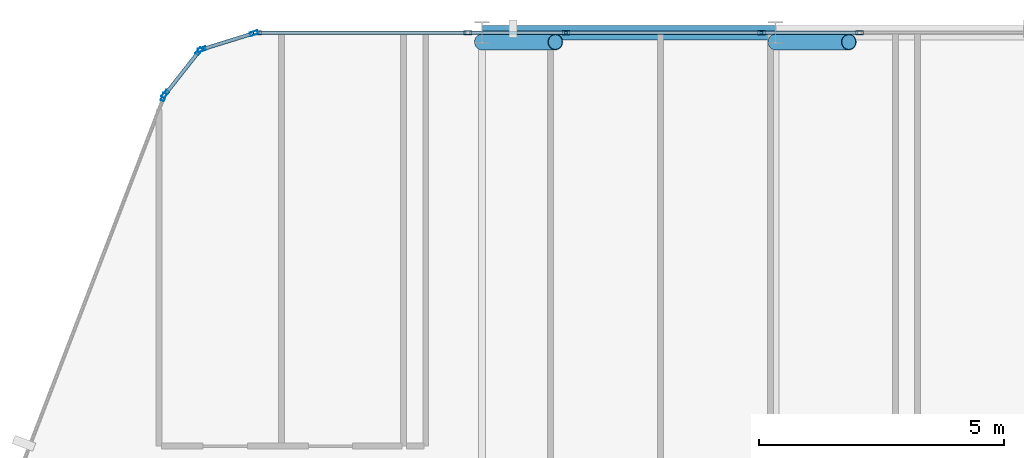
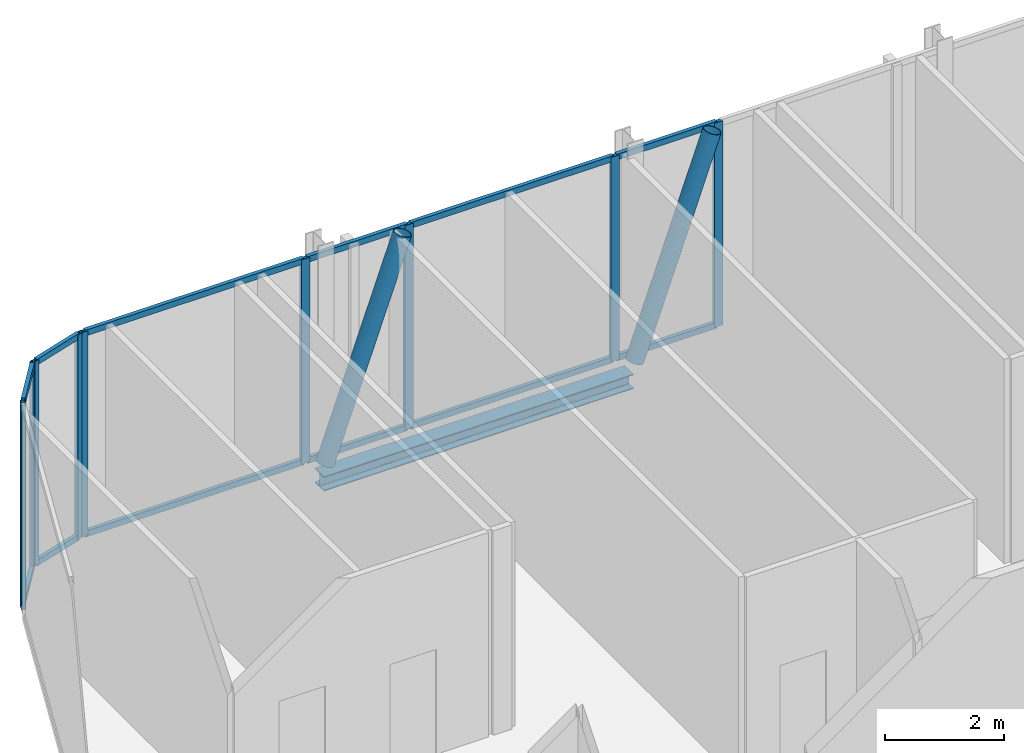
# One storey, part 17 of 28: 24 members, 1 beam, 7 elements without a shape of their own.
"""IFC4 building model written with IfcOpenShell, lengths in metres."""

from ifc_helpers import new_model, si_unit, direction, frame, origin, origin_2d, place, context, subcontext, project, spatial, hollow_rectangle, hollow_circle, i_section, extrude, material, layer, layer_set, material_profile, profile_set, type_object, element, aggregate, save


model = new_model("IFC4")

# Units and contexts
model_context = context("Model", 3, precision=1e-05, world=origin(), true_north=direction((0.0, 1.0)))
body_context = subcontext(model_context, "Body", "Model", "MODEL_VIEW")
ifc_project = project(units=[si_unit("LENGTHUNIT", "METRE"), si_unit("AREAUNIT", "SQUARE_METRE"), si_unit("VOLUMEUNIT", "CUBIC_METRE"), si_unit("PLANEANGLEUNIT", "RADIAN"), si_unit("MASSUNIT", "GRAM", prefix="KILO")], contexts=[model_context])

# Site, building, storey
site_placement = place(None, origin())
site = spatial("IfcSite", under=ifc_project, at=site_placement, CompositionType="ELEMENT")
building_placement = place(site_placement, origin())
building = spatial("IfcBuilding", under=site, at=building_placement, Name="Keshet Zoharim Tower", CompositionType="ELEMENT")
storey_placement = place(building_placement, frame((0.0, 0.0, 164.60009765625)))
storey = spatial("IfcBuildingStorey", under=building, at=storey_placement, Name="L40", CompositionType="ELEMENT", Elevation=164.60009765625)

# Beam
ifc_material_1 = material(Name="Steel S355", Category="steel")
ifc_material_profile_1 = material_profile(ifc_material_1, i_section(OverallWidth=0.300048828125, OverallDepth=0.300048828125, WebThickness=0.010986328125, FlangeThickness=0.01904296875, FilletRadius=0.027099609375, at=origin_2d()), Name="HEB300")
ifc_profile_set_1 = profile_set([ifc_material_profile_1], Name="Steel S355")
beam_type = type_object("IfcBeamType", Name="BM-PRI-HB300", PredefinedType="BEAM", material=ifc_profile_set_1)
beam_placement = place(storey_placement, frame((21.0, 53.89990234375, -0.460205078125), z_axis=(1.0, 0.0, 0.0), x_axis=(0.0, 1.0, 0.0)))
element("IfcBeam", 1, at=beam_placement, inside=storey, type_object=beam_type, Name="L40 Primary Girder X-019", PredefinedType="BEAM", context=body_context, shape_type="SweptSolid", body=[
    extrude(i_section(OverallWidth=0.300048828125, OverallDepth=0.300048828125, WebThickness=0.010986328125, FlangeThickness=0.01904296875, FilletRadius=0.027099609375, at=origin_2d()), origin(), (0.0, 0.0, 1.0), 6.0),
])

# Curtain wall, member
ifc_material_2 = material(Name="Aluminium 6063-T6", Category="aluminium")
ifc_layer = layer(ifc_material_2, 0.139892578125)
ifc_layer_set = layer_set([ifc_layer], Name="Aluminium 6063-T6")
curtain_wall_type = type_object("IfcCurtainWallType", Name="CW-SYS-05", PredefinedType="NOTDEFINED", material=ifc_layer_set)
curtain_wall_1_placement = place(storey_placement, origin())
curtain_wall_1 = element("IfcCurtainWall", 2, at=curtain_wall_1_placement, inside=storey, type_object=curtain_wall_type, Name="L40 Unitised Curtain Wall 13", PredefinedType="NOTDEFINED")
ifc_material_profile_2 = material_profile(ifc_material_2, hollow_rectangle(XDim=0.074951171875, YDim=0.159912109375, WallThickness=0.00390625, at=origin_2d()), Name="MUL-75x160")
ifc_profile_set_2 = profile_set([ifc_material_profile_2], Name="Aluminium 6063-T6")
member_type_1 = type_object("IfcMemberType", Name="CWM-M15", PredefinedType="MULLION", material=ifc_profile_set_2)
member_1_placement = place(storey_placement, frame((14.494384765625, 52.58544921875, 0.0), z_axis=(0.0, 0.0, 1.0), x_axis=(-0.933341404361, 0.358990003907, 0.0)))
member_1 = element("IfcMember", 3, at=member_1_placement, type_object=member_type_1, Name="CW-05 mullion 4", PredefinedType="MULLION", context=body_context, shape_type="SweptSolid", body=[
    extrude(hollow_rectangle(XDim=0.074951171875, YDim=0.159912109375, WallThickness=0.00390625, at=origin_2d()), origin(), (0.0, 0.0, 1.0), 4.18994140625),
])
aggregate(curtain_wall_1, [member_1])

# Curtain wall, members
curtain_wall_2_placement = place(storey_placement, origin())
curtain_wall_2 = element("IfcCurtainWall", 4, at=curtain_wall_2_placement, inside=storey, type_object=curtain_wall_type, Name="L40 Unitised Curtain Wall 14", PredefinedType="NOTDEFINED")
member_2_placement = place(storey_placement, frame((14.528564453125, 52.6455078125, 0.0), z_axis=(0.0, 0.0, 1.0), x_axis=(-0.785292825205, 0.619124525989, 0.0)))
member_2 = element("IfcMember", 5, at=member_2_placement, type_object=member_type_1, Name="CW-05 mullion 1", PredefinedType="MULLION", context=body_context, shape_type="SweptSolid", body=[
    extrude(hollow_rectangle(XDim=0.074951171875, YDim=0.159912109375, WallThickness=0.00390625, at=origin_2d()), origin(), (0.0, 0.0, 1.0), 4.18994140625),
])
member_3_placement = place(storey_placement, frame((15.21923828125, 53.521484375, 0.0), z_axis=(0.0, 0.0, 1.0), x_axis=(-0.785292825205, 0.619124525989, 0.0)))
member_3 = element("IfcMember", 6, at=member_3_placement, type_object=member_type_1, Name="CW-05 mullion 2", PredefinedType="MULLION", context=body_context, shape_type="SweptSolid", body=[
    extrude(hollow_rectangle(XDim=0.074951171875, YDim=0.159912109375, WallThickness=0.00390625, at=origin_2d()), origin(), (0.0, 0.0, 1.0), 4.18994140625),
])

curtain_wall_3_placement = place(storey_placement, origin())
curtain_wall_3 = element("IfcCurtainWall", 7, at=curtain_wall_3_placement, inside=storey, type_object=curtain_wall_type, Name="L40 Unitised Curtain Wall 15", PredefinedType="NOTDEFINED")
member_4_placement = place(storey_placement, frame((15.2744140625, 53.559326171875, 0.0), z_axis=(0.0, 0.0, 1.0), x_axis=(-0.295921857984, 0.955212151288, 0.0)))
member_4 = element("IfcMember", 8, at=member_4_placement, type_object=member_type_1, Name="CW-05 mullion 1", PredefinedType="MULLION", context=body_context, shape_type="SweptSolid", body=[
    extrude(hollow_rectangle(XDim=0.074951171875, YDim=0.159912109375, WallThickness=0.00390625, at=origin_2d()), origin(), (0.0, 0.0, 1.0), 4.18994140625),
])
member_5_placement = place(storey_placement, frame((16.340576171875, 53.8896484375, 0.0), z_axis=(0.0, 0.0, 1.0), x_axis=(-0.295921857984, 0.955212151288, 0.0)))
member_5 = element("IfcMember", 9, at=member_5_placement, type_object=member_type_1, Name="CW-05 mullion 2", PredefinedType="MULLION", context=body_context, shape_type="SweptSolid", body=[
    extrude(hollow_rectangle(XDim=0.074951171875, YDim=0.159912109375, WallThickness=0.00390625, at=origin_2d()), origin(), (0.0, 0.0, 1.0), 4.18994140625),
])

curtain_wall_4_placement = place(storey_placement, origin())
curtain_wall_4 = element("IfcCurtainWall", 10, at=curtain_wall_4_placement, inside=storey, type_object=curtain_wall_type, Name="L40 Unitised Curtain Wall 16", PredefinedType="NOTDEFINED")
member_6_placement = place(storey_placement, frame((16.408935546875, 53.89990234375, 0.0), z_axis=(0.0, 0.0, 1.0), x_axis=(0.0, 1.0, 0.0)))
member_6 = element("IfcMember", 11, at=member_6_placement, type_object=member_type_1, Name="CW-05 mullion 1", PredefinedType="MULLION", context=body_context, shape_type="SweptSolid", body=[
    extrude(hollow_rectangle(XDim=0.074951171875, YDim=0.159912109375, WallThickness=0.00390625, at=origin_2d()), origin(), (0.0, 0.0, 1.0), 4.18994140625),
])
member_7_placement = place(storey_placement, frame((20.71240234375, 53.89990234375, 0.0), z_axis=(0.0, 0.0, 1.0), x_axis=(0.0, 1.0, 0.0)))
member_7 = element("IfcMember", 12, at=member_7_placement, type_object=member_type_1, Name="CW-05 mullion 2", PredefinedType="MULLION", context=body_context, shape_type="SweptSolid", body=[
    extrude(hollow_rectangle(XDim=0.074951171875, YDim=0.159912109375, WallThickness=0.00390625, at=origin_2d()), origin(), (0.0, 0.0, 1.0), 4.18994140625),
])

# Curtain wall, member
curtain_wall_5_placement = place(storey_placement, origin())
curtain_wall_5 = element("IfcCurtainWall", 13, at=curtain_wall_5_placement, inside=storey, type_object=curtain_wall_type, Name="L40 Unitised Curtain Wall 16 Part 2", PredefinedType="NOTDEFINED")
member_8_placement = place(storey_placement, frame((22.717529296875, 53.89990234375, 0.0), z_axis=(0.0, 0.0, 1.0), x_axis=(0.0, 1.0, 0.0)))
member_8 = element("IfcMember", 14, at=member_8_placement, type_object=member_type_1, Name="CW-05 mullion 2", PredefinedType="MULLION", context=body_context, shape_type="SweptSolid", body=[
    extrude(hollow_rectangle(XDim=0.074951171875, YDim=0.159912109375, WallThickness=0.00390625, at=origin_2d()), origin(), (0.0, 0.0, 1.0), 4.18994140625),
])

curtain_wall_6_placement = place(storey_placement, origin())
curtain_wall_6 = element("IfcCurtainWall", 15, at=curtain_wall_6_placement, inside=storey, type_object=curtain_wall_type, Name="L40 Unitised Curtain Wall 16 Part 3", PredefinedType="NOTDEFINED")
member_9_placement = place(storey_placement, frame((26.71240234375, 53.89990234375, 0.0), z_axis=(0.0, 0.0, 1.0), x_axis=(0.0, 1.0, 0.0)))
member_9 = element("IfcMember", 16, at=member_9_placement, type_object=member_type_1, Name="CW-05 mullion 2", PredefinedType="MULLION", context=body_context, shape_type="SweptSolid", body=[
    extrude(hollow_rectangle(XDim=0.074951171875, YDim=0.159912109375, WallThickness=0.00390625, at=origin_2d()), origin(), (0.0, 0.0, 1.0), 4.18994140625),
])

curtain_wall_7_placement = place(storey_placement, origin())
curtain_wall_7 = element("IfcCurtainWall", 17, at=curtain_wall_7_placement, inside=storey, type_object=curtain_wall_type, Name="L40 Unitised Curtain Wall 16 Part 4", PredefinedType="NOTDEFINED")
member_10_placement = place(storey_placement, frame((28.717529296875, 53.89990234375, 0.0), z_axis=(0.0, 0.0, 1.0), x_axis=(0.0, 1.0, 0.0)))
member_10 = element("IfcMember", 18, at=member_10_placement, type_object=member_type_1, Name="CW-05 mullion 2", PredefinedType="MULLION", context=body_context, shape_type="SweptSolid", body=[
    extrude(hollow_rectangle(XDim=0.074951171875, YDim=0.159912109375, WallThickness=0.00390625, at=origin_2d()), origin(), (0.0, 0.0, 1.0), 4.18994140625),
])

# Member
ifc_material_profile_3 = material_profile(ifc_material_2, hollow_rectangle(XDim=0.074951171875, YDim=0.1201171875, WallThickness=0.00390625, at=origin_2d()), Name="TRN-75x120")
ifc_profile_set_3 = profile_set([ifc_material_profile_3], Name="Aluminium 6063-T6")
member_type_2 = type_object("IfcMemberType", Name="CWT-T12", PredefinedType="USERDEFINED", material=ifc_profile_set_3)
member_11_placement = place(storey_placement, frame((14.55029296875, 52.6728515625, 0.034912109375), z_axis=(0.619099165969, 0.78531281837, 0.0), x_axis=(-0.78531281837, 0.619099165969, 0.0)))
member_11 = element("IfcMember", 19, at=member_11_placement, type_object=member_type_2, Name="CW-05 transom 1.1", ObjectType="TRANSOM", PredefinedType="USERDEFINED", context=body_context, shape_type="SweptSolid", body=[
    extrude(hollow_rectangle(XDim=0.074951171875, YDim=0.1201171875, WallThickness=0.00390625, at=origin_2d()), origin(), (0.0, 0.0, 1.0), 1.0458984375),
])

member_12_placement = place(storey_placement, frame((14.55029296875, 52.6728515625, 4.15478515625), z_axis=(0.619099165969, 0.78531281837, 0.0), x_axis=(-0.78531281837, 0.619099165969, 0.0)))
member_12 = element("IfcMember", 20, at=member_12_placement, type_object=member_type_2, Name="CW-05 transom 1.2", ObjectType="TRANSOM", PredefinedType="USERDEFINED", context=body_context, shape_type="SweptSolid", body=[
    extrude(hollow_rectangle(XDim=0.074951171875, YDim=0.1201171875, WallThickness=0.00390625, at=origin_2d()), origin(), (0.0, 0.0, 1.0), 1.0458984375),
])

aggregate(curtain_wall_2, [member_2, member_3, member_11, member_12])

member_13_placement = place(storey_placement, frame((15.307861328125, 53.56982421875, 0.034912109375), z_axis=(0.955212093062, 0.295922045933, 0.0), x_axis=(-0.295922045933, 0.955212093062, 0.0)))
member_13 = element("IfcMember", 21, at=member_13_placement, type_object=member_type_2, Name="CW-05 transom 1.1", ObjectType="TRANSOM", PredefinedType="USERDEFINED", context=body_context, shape_type="SweptSolid", body=[
    extrude(hollow_rectangle(XDim=0.074951171875, YDim=0.1201171875, WallThickness=0.00390625, at=origin_2d()), origin(), (0.0, 0.0, 1.0), 1.046142578125),
])

member_14_placement = place(storey_placement, frame((15.307861328125, 53.56982421875, 4.15478515625), z_axis=(0.955212093062, 0.295922045933, 0.0), x_axis=(-0.295922045933, 0.955212093062, 0.0)))
member_14 = element("IfcMember", 22, at=member_14_placement, type_object=member_type_2, Name="CW-05 transom 1.2", ObjectType="TRANSOM", PredefinedType="USERDEFINED", context=body_context, shape_type="SweptSolid", body=[
    extrude(hollow_rectangle(XDim=0.074951171875, YDim=0.1201171875, WallThickness=0.00390625, at=origin_2d()), origin(), (0.0, 0.0, 1.0), 1.046142578125),
])

aggregate(curtain_wall_3, [member_4, member_5, member_13, member_14])

member_15_placement = place(storey_placement, frame((16.444091796875, 53.89990234375, 0.034912109375), z_axis=(1.0, 0.0, 0.0), x_axis=(0.0, 1.0, 0.0)))
member_15 = element("IfcMember", 23, at=member_15_placement, type_object=member_type_2, Name="CW-05 transom 1.1", ObjectType="TRANSOM", PredefinedType="USERDEFINED", context=body_context, shape_type="SweptSolid", body=[
    extrude(hollow_rectangle(XDim=0.074951171875, YDim=0.1201171875, WallThickness=0.00390625, at=origin_2d()), origin(), (0.0, 0.0, 1.0), 4.2333984375),
])

member_16_placement = place(storey_placement, frame((16.444091796875, 53.89990234375, 4.15478515625), z_axis=(1.0, 0.0, 0.0), x_axis=(0.0, 1.0, 0.0)))
member_16 = element("IfcMember", 24, at=member_16_placement, type_object=member_type_2, Name="CW-05 transom 1.2", ObjectType="TRANSOM", PredefinedType="USERDEFINED", context=body_context, shape_type="SweptSolid", body=[
    extrude(hollow_rectangle(XDim=0.074951171875, YDim=0.1201171875, WallThickness=0.00390625, at=origin_2d()), origin(), (0.0, 0.0, 1.0), 4.2333984375),
])

aggregate(curtain_wall_4, [member_6, member_7, member_15, member_16])

member_17_placement = place(storey_placement, frame((20.74755859375, 53.89990234375, 0.034912109375), z_axis=(1.0, 0.0, 0.0), x_axis=(0.0, 1.0, 0.0)))
member_17 = element("IfcMember", 25, at=member_17_placement, type_object=member_type_2, Name="CW-05 transom 1.1", ObjectType="TRANSOM", PredefinedType="USERDEFINED", context=body_context, shape_type="SweptSolid", body=[
    extrude(hollow_rectangle(XDim=0.074951171875, YDim=0.1201171875, WallThickness=0.00390625, at=origin_2d()), origin(), (0.0, 0.0, 1.0), 1.93505859375),
])

member_18_placement = place(storey_placement, frame((20.74755859375, 53.89990234375, 4.15478515625), z_axis=(1.0, 0.0, 0.0), x_axis=(0.0, 1.0, 0.0)))
member_18 = element("IfcMember", 26, at=member_18_placement, type_object=member_type_2, Name="CW-05 transom 1.2", ObjectType="TRANSOM", PredefinedType="USERDEFINED", context=body_context, shape_type="SweptSolid", body=[
    extrude(hollow_rectangle(XDim=0.074951171875, YDim=0.1201171875, WallThickness=0.00390625, at=origin_2d()), origin(), (0.0, 0.0, 1.0), 1.93505859375),
])

aggregate(curtain_wall_5, [member_8, member_17, member_18])

member_19_placement = place(storey_placement, frame((22.75244140625, 53.89990234375, 0.034912109375), z_axis=(1.0, 0.0, 0.0), x_axis=(0.0, 1.0, 0.0)))
member_19 = element("IfcMember", 27, at=member_19_placement, type_object=member_type_2, Name="CW-05 transom 1.1", ObjectType="TRANSOM", PredefinedType="USERDEFINED", context=body_context, shape_type="SweptSolid", body=[
    extrude(hollow_rectangle(XDim=0.074951171875, YDim=0.1201171875, WallThickness=0.00390625, at=origin_2d()), origin(), (0.0, 0.0, 1.0), 3.925048828125),
])

member_20_placement = place(storey_placement, frame((22.75244140625, 53.89990234375, 4.15478515625), z_axis=(1.0, 0.0, 0.0), x_axis=(0.0, 1.0, 0.0)))
member_20 = element("IfcMember", 28, at=member_20_placement, type_object=member_type_2, Name="CW-05 transom 1.2", ObjectType="TRANSOM", PredefinedType="USERDEFINED", context=body_context, shape_type="SweptSolid", body=[
    extrude(hollow_rectangle(XDim=0.074951171875, YDim=0.1201171875, WallThickness=0.00390625, at=origin_2d()), origin(), (0.0, 0.0, 1.0), 3.925048828125),
])

aggregate(curtain_wall_6, [member_9, member_19, member_20])

member_21_placement = place(storey_placement, frame((26.74755859375, 53.89990234375, 0.034912109375), z_axis=(1.0, 0.0, 0.0), x_axis=(0.0, 1.0, 0.0)))
member_21 = element("IfcMember", 29, at=member_21_placement, type_object=member_type_2, Name="CW-05 transom 1.1", ObjectType="TRANSOM", PredefinedType="USERDEFINED", context=body_context, shape_type="SweptSolid", body=[
    extrude(hollow_rectangle(XDim=0.074951171875, YDim=0.1201171875, WallThickness=0.00390625, at=origin_2d()), origin(), (0.0, 0.0, 1.0), 1.93505859375),
])

member_22_placement = place(storey_placement, frame((26.74755859375, 53.89990234375, 4.15478515625), z_axis=(1.0, 0.0, 0.0), x_axis=(0.0, 1.0, 0.0)))
member_22 = element("IfcMember", 30, at=member_22_placement, type_object=member_type_2, Name="CW-05 transom 1.2", ObjectType="TRANSOM", PredefinedType="USERDEFINED", context=body_context, shape_type="SweptSolid", body=[
    extrude(hollow_rectangle(XDim=0.074951171875, YDim=0.1201171875, WallThickness=0.00390625, at=origin_2d()), origin(), (0.0, 0.0, 1.0), 1.93505859375),
])

aggregate(curtain_wall_7, [member_10, member_21, member_22])

# Members
ifc_material_profile_4 = material_profile(ifc_material_1, hollow_circle(Radius=0.161865234375, WallThickness=0.012451171875, at=origin_2d()), Name="CHS323x12.5")
ifc_profile_set_4 = profile_set([ifc_material_profile_4], Name="Steel S355")
member_type_3 = type_object("IfcMemberType", Name="MB-BR-C323", PredefinedType="BRACE", material=ifc_profile_set_4)
for number, where, z_axis, x_axis, name in (
    (31, (21.0, 53.7099609375, 0.0), (0.337052194166, 0.0, 0.941485962937), (0.0, 1.0, 0.0), "L40 Perimeter Tube Brace 02"),
    (32, (27.0, 53.7099609375, 0.0), (0.337052194166, 0.0, 0.941485962937), (0.0, 1.0, 0.0), "L40 Perimeter Tube Brace 03"),
):
    element("IfcMember", number, at=place(storey_placement, frame(where, z_axis=z_axis, x_axis=x_axis)), inside=storey, type_object=member_type_3, Name=name, PredefinedType="BRACE", context=body_context, shape_type="SweptSolid", body=[
        extrude(hollow_circle(Radius=0.161865234375, WallThickness=0.012451171875, at=origin_2d()), origin(), (0.0, 0.0, 1.0), 4.450439453125),
    ])

save(model, "model.ifc")
